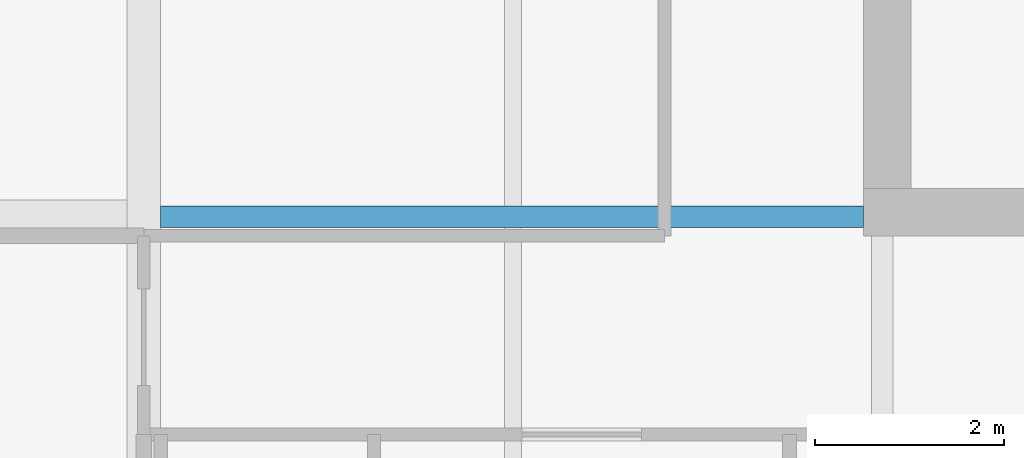
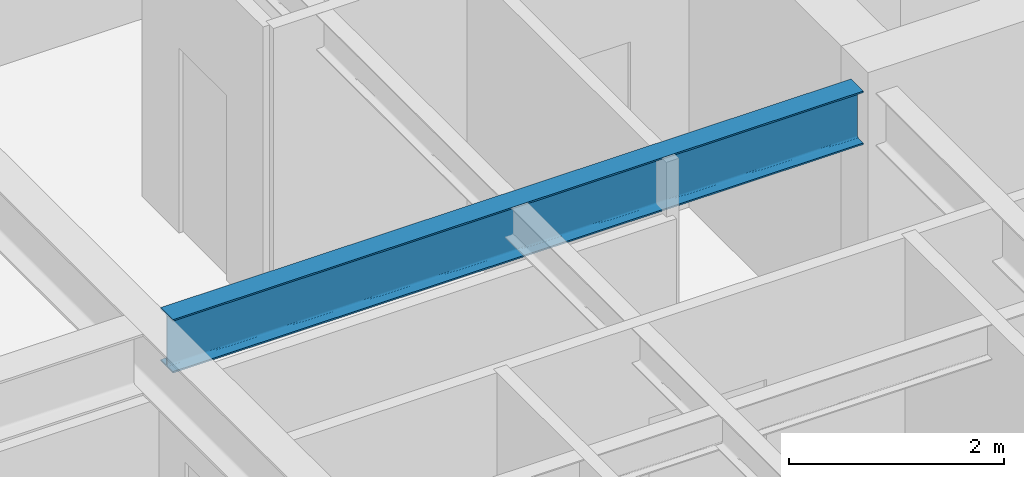
# One storey, part 8 of 32: 1 beam.
"""IFC4 building model written with IfcOpenShell, lengths in metres."""

from ifc_helpers import new_model, si_unit, direction, frame, origin, origin_2d, place, context, subcontext, project, spatial, i_section, extrude, material, material_profile, profile_set, type_object, element, save


model = new_model("IFC4")

# Units and contexts
model_context = context("Model", 3, precision=1e-05, world=origin(), true_north=direction((0.0, 1.0)))
body_context = subcontext(model_context, "Body", "Model", "MODEL_VIEW")
ifc_project = project(units=[si_unit("LENGTHUNIT", "METRE"), si_unit("AREAUNIT", "SQUARE_METRE"), si_unit("VOLUMEUNIT", "CUBIC_METRE"), si_unit("PLANEANGLEUNIT", "RADIAN"), si_unit("MASSUNIT", "GRAM", prefix="KILO")], contexts=[model_context])

# Site, building, storey
site_placement = place(None, origin())
site = spatial("IfcSite", under=ifc_project, at=site_placement, CompositionType="ELEMENT")
building_placement = place(site_placement, origin())
building = spatial("IfcBuilding", under=site, at=building_placement, Name="Drelvath Grand Hotel", CompositionType="ELEMENT")
storey_placement = place(building_placement, frame((0.0, 0.0, 182.35009765625)))
storey = spatial("IfcBuildingStorey", under=building, at=storey_placement, Name="L47", CompositionType="ELEMENT", Elevation=182.35009765625)

# Beam
ifc_material = material(Name="Steel ASTM A992 Gr 50", Category="steel")
ifc_material_profile = material_profile(ifc_material, i_section(OverallWidth=0.228271484375, OverallDepth=0.607666015625, WebThickness=0.01123046875, FlangeThickness=0.017333984375, FilletRadius=0.02001953125, at=origin_2d()), Name="W24X76")
ifc_profile_set = profile_set([ifc_material_profile], Name="Steel ASTM A992 Gr 50")
beam_type = type_object("IfcBeamType", Name="Primary Floor Girder W24X76", PredefinedType="BEAM", material=ifc_profile_set)
beam_placement = place(storey_placement, frame((-16.022705078125, 18.60009765625, 2.986083984375), z_axis=(1.0, 0.0, 0.0), x_axis=(0.0, 1.0, 0.0)))
element("IfcBeam", 1, at=beam_placement, inside=storey, type_object=beam_type, Name="L47 West Core Tie D", PredefinedType="BEAM", context=body_context, shape_type="SweptSolid", body=[
    extrude(i_section(OverallWidth=0.228271484375, OverallDepth=0.607666015625, WebThickness=0.01123046875, FlangeThickness=0.017333984375, FilletRadius=0.02001953125, at=origin_2d()), origin(), (0.0, 0.0, 1.0), 7.422607421875),
])

save(model, "model.ifc")
